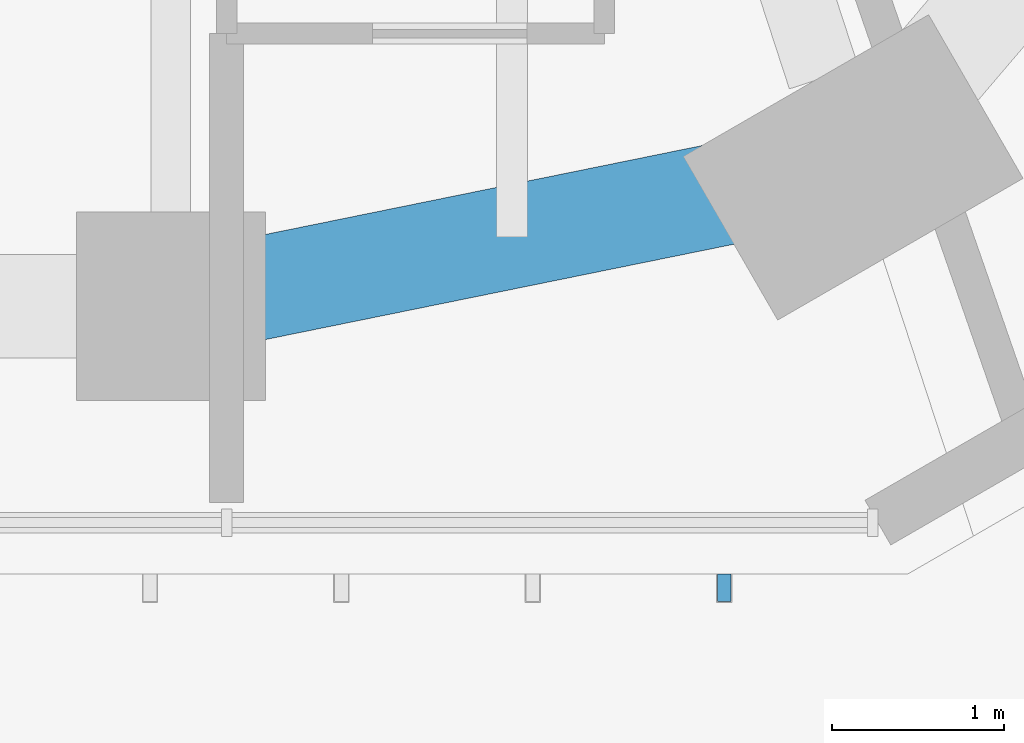
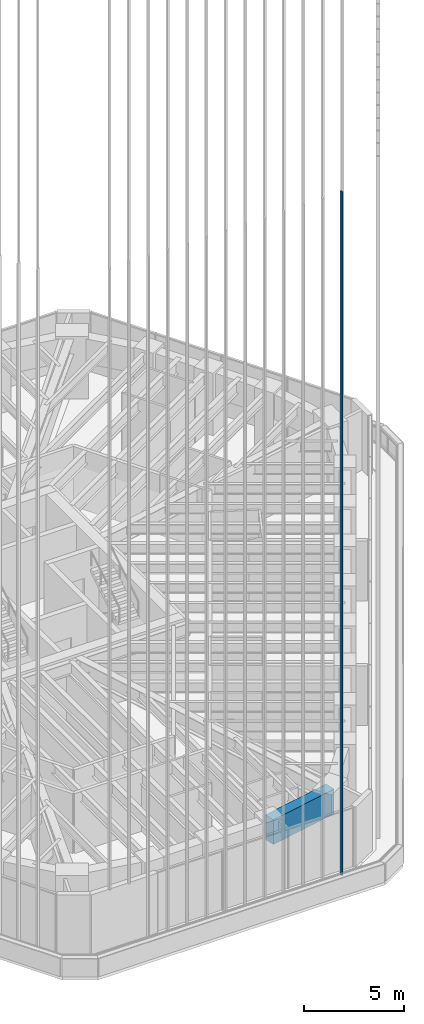
# One storey, part 32 of 127: 1 beam, 1 member, 1 element without a shape of its own.
"""IFC4 building model written with IfcOpenShell, lengths in metres."""

from ifc_helpers import new_model, si_unit, direction, frame, origin, origin_2d, place, context, subcontext, project, spatial, rectangle, extrude, material, material_profile, profile_set, type_object, element, aggregate, save


model = new_model("IFC4")

# Units and contexts
model_context = context("Model", 3, precision=1e-05, world=origin(), true_north=direction((0.0, 1.0)))
body_context = subcontext(model_context, "Body", "Model", "MODEL_VIEW")
ifc_project = project(units=[si_unit("LENGTHUNIT", "METRE"), si_unit("AREAUNIT", "SQUARE_METRE"), si_unit("VOLUMEUNIT", "CUBIC_METRE"), si_unit("PLANEANGLEUNIT", "RADIAN"), si_unit("MASSUNIT", "GRAM", prefix="KILO")], contexts=[model_context])

# Site, building, storey
site_placement = place(None, origin())
site = spatial("IfcSite", under=ifc_project, at=site_placement, CompositionType="ELEMENT")
building_placement = place(site_placement, origin())
building = spatial("IfcBuilding", under=site, at=building_placement, Name="Sandreach Pilgrim Tower", CompositionType="ELEMENT")
storey_placement = place(building_placement, frame((0.0, 0.0, 257.0)))
storey = spatial("IfcBuildingStorey", under=building, at=storey_placement, Name="L64", CompositionType="ELEMENT", Elevation=257.0)

# Beam
ifc_material_1 = material(Name="Concrete 10000 psi", Category="concrete")
ifc_material_profile_1 = material_profile(ifc_material_1, rectangle(XDim=0.60009765625, YDim=1.5, at=origin_2d()), Name="RC600X1500")
ifc_profile_set_1 = profile_set([ifc_material_profile_1], Name="Concrete 10000 psi")
beam_type = type_object("IfcBeamType", Name="Spandrel beam RC600X1500", PredefinedType="SPANDREL", material=ifc_profile_set_1)
beam_placement = place(storey_placement, frame((7.439208984375, -22.78955078125, 2.889892578125), z_axis=(-0.979917524616, -0.199403222016, 0.0), x_axis=(0.199403222016, -0.979917524616, 0.0)))
element("IfcBeam", 1, at=beam_placement, inside=storey, type_object=beam_type, Name="BM L64 SP22", PredefinedType="SPANDREL", context=body_context, shape_type="SweptSolid", body=[
    extrude(rectangle(XDim=0.60009765625, YDim=1.5, at=origin_2d()), origin(), (0.0, 0.0, 1.0), 4.05517578125),
])

# Curtain wall, member
ifc_material_2 = material(Name="Aluminium framed curtain wall", Category="aluminium")
curtain_wall_type = type_object("IfcCurtainWallType", Name="Suite tower curtain wall", PredefinedType="NOTDEFINED", material=ifc_material_2)
curtain_wall_placement = place(storey_placement, origin())
curtain_wall = element("IfcCurtainWall", 2, at=curtain_wall_placement, inside=storey, type_object=curtain_wall_type, Name="CW-4 L64 SA", PredefinedType="NOTDEFINED")
ifc_material_3 = material(Name="Extruded terracotta on aluminium core", Category="masonry")
ifc_material_profile_2 = material_profile(ifc_material_3, rectangle(XDim=0.080078125, YDim=0.159912109375, at=origin_2d()), Name="TBS 80X160")
ifc_profile_set_2 = profile_set([ifc_material_profile_2], Name="Extruded terracotta on aluminium core")
member_type = type_object("IfcMemberType", Name="Terracotta baguette south", PredefinedType="USERDEFINED", material=ifc_profile_set_2)
member_placement = place(storey_placement, frame((6.68798828125, -25.238037109375, 0.0), z_axis=(0.0, 0.0, 1.0), x_axis=(-1.0, 0.0, 0.0)))
member = element("IfcMember", 3, at=member_placement, type_object=member_type, Name="Baguette Z4 S01", ObjectType="BAGUETTE", PredefinedType="USERDEFINED", context=body_context, shape_type="SweptSolid", body=[
    extrude(rectangle(XDim=0.080078125, YDim=0.159912109375, at=origin_2d()), origin(), (0.0, 0.0, 1.0), 41.639892578125),
])
aggregate(curtain_wall, [member])

save(model, "model.ifc")
